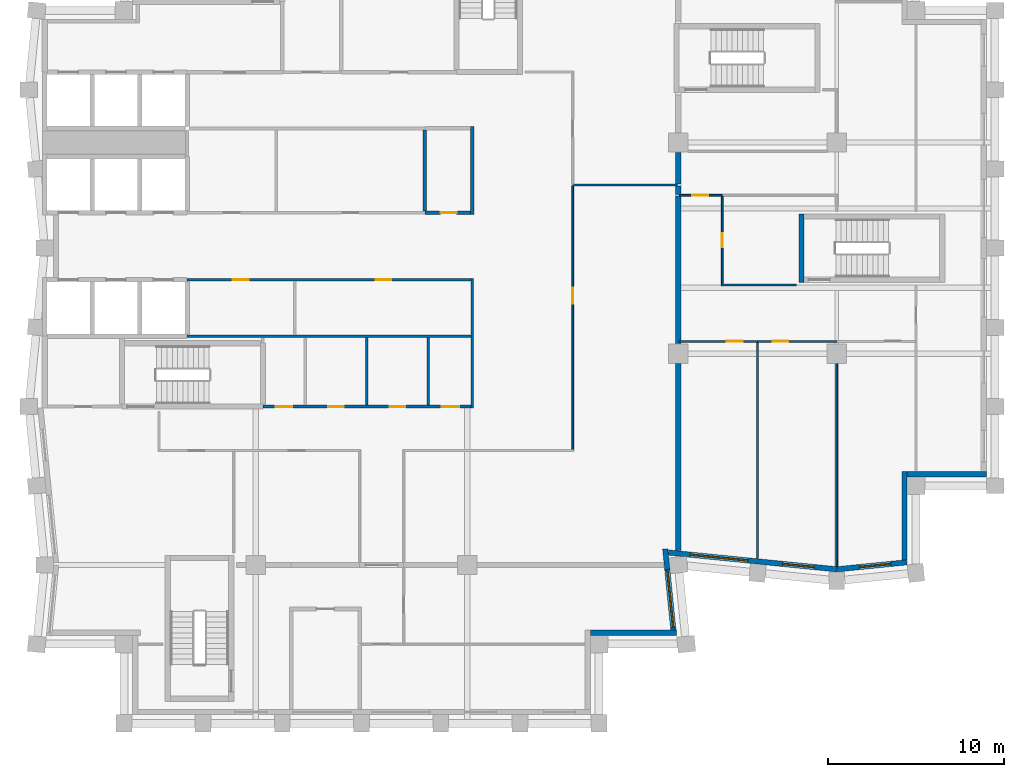
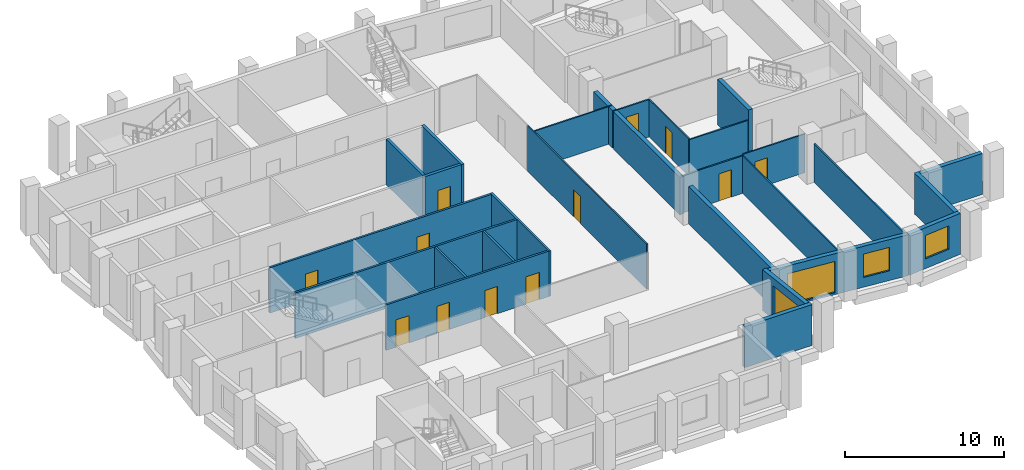
# One storey, part 4 of 8: 29 walls, 12 doors, 4 windows, 16 openings.
"""IFC4 building model written with IfcOpenShell, lengths in metres."""

import ifcopenshell
import ifcopenshell.guid

model = None  # the IFC model being written
_history = None  # IfcOwnerHistory: only IFC2X3 demands one
_inside = {}  # id of a spatial element -> (the spatial element, [elements in it])
_under = {}  # id of a project, library or spatial element -> (it, [spatial elements below it])
_declared = {}  # id of a project -> (the project, [libraries it declares])
_typed = {}  # id of a type object -> (the type object, [elements of that type])
_made_of = {}  # id of a material, layer set ... -> (it, [elements and type objects made of it])


def new_model(schema):
    """Start an empty IFC model of exactly this schema.

    Asked for "IFC4X3", IfcOpenShell would pick the latest addendum, in which some entities
    have other attributes; the version numbers below select the first issue.
    IFC2X3 requires an IfcOwnerHistory on every rooted entity: one is made here for all.
    """
    global model, _history
    if schema == "IFC4X3":
        model = ifcopenshell.file(schema_version=(4, 3, 0, 0))
    else:
        model = ifcopenshell.file(schema=schema)
    _inside.clear()
    _under.clear()
    _declared.clear()
    _typed.clear()
    _made_of.clear()
    _history = None
    if model.schema == "IFC2X3":
        org = make("IfcOrganization", Name="unknown")
        user = make(
            "IfcPersonAndOrganization",
            ThePerson=make("IfcPerson", FamilyName="unknown"),
            TheOrganization=org,
        )
        app = make(
            "IfcApplication",
            ApplicationDeveloper=org,
            Version="unknown",
            ApplicationFullName="unknown",
            ApplicationIdentifier="unknown",
        )
        _history = make(
            "IfcOwnerHistory",
            OwningUser=user,
            OwningApplication=app,
            ChangeAction="ADDED",
            CreationDate=0,
        )
    return model


def make(cls, **values):
    """One entity of the class cls with the attributes given. An attribute that is None is left unset."""
    return model.create_entity(
        cls, **{name: value for name, value in values.items() if value is not None}
    )


def rooted(cls, **values):
    """An entity with a GlobalId (a new one), such as an element, a storey or a relation."""
    return make(cls, GlobalId=ifcopenshell.guid.new(), OwnerHistory=_history, **values)


def si_unit(unit_type, name, prefix=None):
    """IfcSIUnit, for example si_unit("LENGTHUNIT", "METRE", prefix="MILLI")."""
    return make("IfcSIUnit", UnitType=unit_type, Prefix=prefix, Name=name)


def assignment(units):
    """IfcUnitAssignment: the units of a project."""
    return None if units is None else make("IfcUnitAssignment", Units=units)


def point(xyz):
    """IfcCartesianPoint."""
    return None if xyz is None else make("IfcCartesianPoint", Coordinates=xyz)


def direction(xyz):
    """IfcDirection."""
    return None if xyz is None else make("IfcDirection", DirectionRatios=xyz)


def frame(location, z_axis=None, x_axis=None):
    """IfcAxis2Placement3D, a coordinate frame: its origin and axes. An axis left out is left unset."""
    return make(
        "IfcAxis2Placement3D",
        Location=point(location),
        Axis=direction(z_axis),
        RefDirection=direction(x_axis),
    )


def frame_2d(location, x_axis=None):
    """IfcAxis2Placement2D, a coordinate frame in the plane: its origin and x axis."""
    return make(
        "IfcAxis2Placement2D", Location=point(location), RefDirection=direction(x_axis)
    )


def origin():
    """The frame at (0, 0, 0) with its axes left unset."""
    return frame((0.0, 0.0, 0.0))


def place(relative_to, where):
    """IfcLocalPlacement: puts the frame where relative to a parent placement (None: the world)."""
    return make(
        "IfcLocalPlacement", PlacementRelTo=relative_to, RelativePlacement=where
    )


def context(
    kind, dimensions, precision=None, world=None, true_north=None, identifier=None
):
    """IfcGeometricRepresentationContext, for example the 3D "Model" context."""
    return make(
        "IfcGeometricRepresentationContext",
        ContextIdentifier=identifier,
        ContextType=kind,
        CoordinateSpaceDimension=dimensions,
        Precision=precision,
        WorldCoordinateSystem=world,
        TrueNorth=true_north,
    )


def subcontext(parent, identifier, kind, view, scale=None):
    """IfcGeometricRepresentationSubContext, for example "Body" below "Model"."""
    return make(
        "IfcGeometricRepresentationSubContext",
        ContextIdentifier=identifier,
        ContextType=kind,
        ParentContext=parent,
        TargetScale=scale,
        TargetView=view,
    )


def project(units=None, contexts=None):
    """IfcProject with its units and contexts."""
    return rooted(
        "IfcProject",
        Name="project",
        RepresentationContexts=contexts,
        UnitsInContext=assignment(units),
    )


def spatial(cls, under=None, at=None, **own):
    """A site, building, storey or space (cls), placed at a placement, below another one or the project."""
    s = rooted(cls, ObjectPlacement=at, **own)
    if under is not None:
        _under.setdefault(under.id(), (under, []))[1].append(s)
    return s


def profile(cls, at=None, kind="AREA", **sizes):
    """A parametric profile (cls). Its sizes go by their IFC names, for example OverallWidth=200.0."""
    return make(cls, ProfileType=kind, Position=at, **sizes)


def rectangle(**sizes):
    """IfcRectangleProfileDef."""
    return profile("IfcRectangleProfileDef", **sizes)


def extrude(swept, where, along, depth):
    """IfcExtrudedAreaSolid: the profile swept, set in the frame where, extruded along a direction by depth."""
    return make(
        "IfcExtrudedAreaSolid",
        SweptArea=swept,
        Position=where,
        ExtrudedDirection=direction(along),
        Depth=depth,
    )


def shape(context_of_items, identifier, shape_type, items):
    """IfcShapeRepresentation: the items that make up one representation, for example the "Body"."""
    return make(
        "IfcShapeRepresentation",
        ContextOfItems=context_of_items,
        RepresentationIdentifier=identifier,
        RepresentationType=shape_type,
        Items=items,
    )


def material(Name=None, Category=None):
    """IfcMaterial."""
    return make("IfcMaterial", Name=Name, Category=Category)


def layer(
    of_material, thickness, ventilated=None, Name=None, Category=None, Priority=None
):
    """IfcMaterialLayer: one layer of a wall or slab, of a material (None: an air gap)."""
    return make(
        "IfcMaterialLayer",
        Material=of_material,
        LayerThickness=thickness,
        IsVentilated=ventilated,
        Name=Name,
        Category=Category,
        Priority=Priority,
    )


def layer_set(layers, Name=None):
    """IfcMaterialLayerSet."""
    return make("IfcMaterialLayerSet", MaterialLayers=layers, LayerSetName=Name)


def made_of(thing, what):
    """Note that an element or type object is made of a material, layer set ...; save() writes the relation."""
    if what is not None:
        _made_of.setdefault(what.id(), (what, []))[1].append(thing)
    return thing


def type_object(cls, material=None, **own):
    """A type object (cls), such as IfcWallType, which elements share."""
    return made_of(rooted(cls, **own), material)


def element(
    cls,
    number,
    at=None,
    inside=None,
    cuts=None,
    type_object=None,
    material=None,
    context=None,
    identifier="Body",
    shape_type=None,
    held_by="IfcProductDefinitionShape",
    body=None,
    shapes=None,
    **own,
):
    """One element of the class cls, such as IfcWall. Its Tag is "e" and its number.

    at: its placement. inside: the storey or other place that contains it. cuts: it is an
    opening in that element (IfcRelVoidsElement). A single representation is given by context,
    identifier, shape_type and body (its items); several are given by shapes. held_by: the class
    of the entity that holds the representations. save() writes the other relations.
    """
    e = rooted(cls, Tag="e%d" % number, ObjectPlacement=at, **own)
    if body is not None:
        shapes = [shape(context, identifier, shape_type, body)]
    if shapes is not None:
        e.Representation = make(held_by, Representations=shapes)
    if inside is not None:
        _inside.setdefault(inside.id(), (inside, []))[1].append(e)
    if cuts is not None:
        rooted(
            "IfcRelVoidsElement", RelatingBuildingElement=cuts, RelatedOpeningElement=e
        )
    if type_object is not None:
        _typed.setdefault(type_object.id(), (type_object, []))[1].append(e)
    return made_of(e, material)


def fill(opening, filler):
    """IfcRelFillsElement: the door or window that sits in an opening."""
    return rooted(
        "IfcRelFillsElement",
        RelatingOpeningElement=opening,
        RelatedBuildingElement=filler,
    )


def aggregate(whole, parts):
    """IfcRelAggregates: a whole, such as a stair, and the parts it consists of."""
    return rooted("IfcRelAggregates", RelatingObject=whole, RelatedObjects=parts)


def save(model, path):
    """Write the relations noted so far, then the file.

    IfcRelAggregates (storeys below a building ...), IfcRelContainedInSpatialStructure (elements
    in a storey), IfcRelDefinesByType, IfcRelAssociatesMaterial and IfcRelDeclares: one each for
    every whole, place, type object, material and project.
    """
    for whole, parts in _under.values():
        aggregate(whole, parts)
    for where, things in _inside.values():
        rooted(
            "IfcRelContainedInSpatialStructure",
            RelatedElements=things,
            RelatingStructure=where,
        )
    for kind, things in _typed.values():
        rooted("IfcRelDefinesByType", RelatedObjects=things, RelatingType=kind)
    for what, things in _made_of.values():
        rooted("IfcRelAssociatesMaterial", RelatedObjects=things, RelatingMaterial=what)
    for by, libraries in _declared.values():
        rooted("IfcRelDeclares", RelatingContext=by, RelatedDefinitions=libraries)
    model.write(path)


model = new_model("IFC4")

# Units and contexts
model_context = context("Model", 3, precision=1e-05, world=origin(), true_north=direction((0.0, 1.0)))
body_context = subcontext(model_context, "Body", "Model", "MODEL_VIEW")
ifc_project = project(units=[si_unit("LENGTHUNIT", "METRE"), si_unit("AREAUNIT", "SQUARE_METRE"), si_unit("VOLUMEUNIT", "CUBIC_METRE"), si_unit("PLANEANGLEUNIT", "RADIAN"), si_unit("MASSUNIT", "GRAM", prefix="KILO")], contexts=[model_context])

# Site, building, storey
site_placement = place(None, origin())
site = spatial("IfcSite", under=ifc_project, at=site_placement, CompositionType="ELEMENT")
building_placement = place(site_placement, origin())
building = spatial("IfcBuilding", under=site, at=building_placement, Name="Brondeck Convention Tower", CompositionType="ELEMENT")
storey_placement = place(building_placement, frame((0.0, 0.0, 225.39990234375)))
storey = spatial("IfcBuildingStorey", under=building, at=storey_placement, Name="L55", CompositionType="ELEMENT", Elevation=225.39990234375)

# Walls
ifc_material_1 = material(Name="Concrete compartment wall C30/37", Category="concrete")
ifc_layer_1 = layer(ifc_material_1, 0.300048828125)
ifc_layer_set_1 = layer_set([ifc_layer_1], Name="Compartment wall 300")
wall_type_1 = type_object("IfcWallType", Name="Compartment wall 300", PredefinedType="PARTITIONING", material=ifc_layer_set_1)
wall_1_placement = place(storey_placement, frame((36.0, 27.823974609375, 0.0), z_axis=(0.0, 0.0, 1.0), x_axis=(0.0, 1.0, 0.0)))
element("IfcWall", 1, at=wall_1_placement, inside=storey, type_object=wall_type_1, Name="FLR-L55-W021", PredefinedType="PARTITIONING", context=body_context, shape_type="SweptSolid", body=[
    extrude(rectangle(XDim=10.62109375, YDim=0.300048828125, at=frame_2d((5.310546875, 0.0))), origin(), (0.0, 0.0, 1.0), 2.880126953125),
])
wall_2_placement = place(storey_placement, frame((36.0, 39.570068359375, 0.0), z_axis=(0.0, 0.0, 1.0), x_axis=(0.0, 1.0, 0.0)))
element("IfcWall", 2, at=wall_2_placement, inside=storey, type_object=wall_type_1, Name="FLR-L55-W035", PredefinedType="PARTITIONING", context=body_context, shape_type="SweptSolid", body=[
    extrude(rectangle(XDim=8.3798828125, YDim=0.300048828125, at=frame_2d((4.18994140625, 0.0))), origin(), (0.0, 0.0, 1.0), 2.880126953125),
])
wall_3_placement = place(storey_placement, frame((36.0, 48.050048828125, 0.0), z_axis=(0.0, 0.0, 1.0), x_axis=(0.0, 1.0, 0.0)))
element("IfcWall", 3, at=wall_3_placement, inside=storey, type_object=wall_type_1, Name="FLR-L55-W043", PredefinedType="PARTITIONING", context=body_context, shape_type="SweptSolid", body=[
    extrude(rectangle(XDim=0.488037109375, YDim=0.300048828125, at=frame_2d((0.244140625, 0.0))), origin(), (0.0, 0.0, 1.0), 2.880126953125),
])
wall_4_placement = place(storey_placement, frame((36.0, 48.637939453125, 0.0), z_axis=(0.0, 0.0, 1.0), x_axis=(0.0, 1.0, 0.0)))
element("IfcWall", 4, at=wall_4_placement, inside=storey, type_object=wall_type_1, Name="FLR-L55-W046", PredefinedType="PARTITIONING", context=body_context, shape_type="SweptSolid", body=[
    extrude(rectangle(XDim=1.80712890625, YDim=0.300048828125, at=frame_2d((0.903564453125, 0.0))), origin(), (0.0, 0.0, 1.0), 2.880126953125),
])

# Wall, openings, doors
ifc_material_2 = material(Name="Concrete C50/60", Category="concrete")
ifc_layer_2 = layer(ifc_material_2, 0.14990234375)
ifc_layer_set_2 = layer_set([ifc_layer_2], Name="Core beam-seat wall 150 Concrete C50/60")
wall_type_2 = type_object("IfcWallType", Name="Core beam-seat wall 150 Concrete C50/60", PredefinedType="SHEAR", material=ifc_layer_set_2)
wall_5_placement = place(storey_placement, frame((12.39990234375, 36.0, 0.0), z_axis=(0.0, 0.0, 1.0), x_axis=(1.0, 0.0, 0.0)))
wall_5 = element("IfcWall", 5, at=wall_5_placement, inside=storey, type_object=wall_type_2, Name="L55 core wall", PredefinedType="SHEAR", context=body_context, shape_type="SweptSolid", body=[
    extrude(rectangle(XDim=11.8251953125, YDim=0.14990234375, at=frame_2d((5.91259765625, 0.0))), origin(), (0.0, 0.0, 1.0), 3.5),
])
opening_1_placement = place(wall_5_placement, frame((0.72509765625, 0.0, 0.0)))
opening_1 = element("IfcOpeningElement", 6, at=opening_1_placement, cuts=wall_5, Name="Opening C30-03", PredefinedType="OPENING", context=body_context, shape_type="SweptSolid", body=[
    extrude(rectangle(XDim=0.949951171875, YDim=2.10009765625, at=frame_2d((0.47509765625, 1.050048828125))), frame((0.0, 0.0849609375, 0.0), z_axis=(0.0, -1.0, 0.0), x_axis=(1.0, 0.0, 0.0)), (0.0, 0.0, 1.0), 0.169921875),
])
opening_2_placement = place(wall_5_placement, frame((3.699951171875, 0.0, 0.0)))
opening_2 = element("IfcOpeningElement", 7, at=opening_2_placement, cuts=wall_5, Name="Opening C30-04", PredefinedType="OPENING", context=body_context, shape_type="SweptSolid", body=[
    extrude(rectangle(XDim=0.89990234375, YDim=2.10009765625, at=frame_2d((0.449951171875, 1.050048828125))), frame((0.0, 0.0849609375, 0.0), z_axis=(0.0, -1.0, 0.0), x_axis=(1.0, 0.0, 0.0)), (0.0, 0.0, 1.0), 0.169921875),
])
opening_3_placement = place(wall_5_placement, frame((7.199951171875, 0.0, 0.0)))
opening_3 = element("IfcOpeningElement", 8, at=opening_3_placement, cuts=wall_5, Name="Opening C30-05", PredefinedType="OPENING", context=body_context, shape_type="SweptSolid", body=[
    extrude(rectangle(XDim=0.89990234375, YDim=2.10009765625, at=frame_2d((0.449951171875, 1.050048828125))), frame((0.0, 0.0849609375, 0.0), z_axis=(0.0, -1.0, 0.0), x_axis=(1.0, 0.0, 0.0)), (0.0, 0.0, 1.0), 0.169921875),
])
opening_4_placement = place(wall_5_placement, frame((10.14990234375, 0.0, 0.0)))
opening_4 = element("IfcOpeningElement", 9, at=opening_4_placement, cuts=wall_5, Name="Opening C30-06", PredefinedType="OPENING", context=body_context, shape_type="SweptSolid", body=[
    extrude(rectangle(XDim=1.0, YDim=2.10009765625, at=frame_2d((0.5, 1.050048828125))), frame((0.0, 0.0849609375, 0.0), z_axis=(0.0, -1.0, 0.0), x_axis=(1.0, 0.0, 0.0)), (0.0, 0.0, 1.0), 0.169921875),
])
ifc_material_3 = material(Name="Steel fire door", Category="steel")
door_type_1 = type_object("IfcDoorType", Name="Room door 1000x2100 EI 60", OperationType="NOTDEFINED", PredefinedType="DOOR", material=ifc_material_3)
door_1_placement = place(opening_4_placement, origin())
door_1 = element("IfcDoor", 10, at=door_1_placement, inside=storey, type_object=door_type_1, Name="L55 Room door FR-4", OperationType="SINGLE_SWING_LEFT", OverallHeight=2.10009765625, OverallWidth=1.0, PredefinedType="DOOR", context=body_context, shape_type="SweptSolid", body=[
    extrude(rectangle(XDim=1.0, YDim=2.10009765625, at=frame_2d((0.5, 1.050048828125))), frame((0.0, 0.02490234375, 0.0), z_axis=(0.0, -1.0, 0.0), x_axis=(1.0, 0.0, 0.0)), (0.0, 0.0, 1.0), 0.050048828125),
])
fill(opening_4, door_1)
door_type_2 = type_object("IfcDoorType", Name="Room door 900x2100 EI 60", OperationType="NOTDEFINED", PredefinedType="DOOR", material=ifc_material_3)
door_2_placement = place(opening_2_placement, origin())
door_2 = element("IfcDoor", 11, at=door_2_placement, inside=storey, type_object=door_type_2, Name="L55 Room door FR-2", OperationType="SINGLE_SWING_LEFT", OverallHeight=2.10009765625, OverallWidth=0.89990234375, PredefinedType="DOOR", context=body_context, shape_type="SweptSolid", body=[
    extrude(rectangle(XDim=0.89990234375, YDim=2.10009765625, at=frame_2d((0.449951171875, 1.050048828125))), frame((0.0, 0.02490234375, 0.0), z_axis=(0.0, -1.0, 0.0), x_axis=(1.0, 0.0, 0.0)), (0.0, 0.0, 1.0), 0.050048828125),
])
fill(opening_2, door_2)
door_3_placement = place(opening_3_placement, origin())
door_3 = element("IfcDoor", 12, at=door_3_placement, inside=storey, type_object=door_type_2, Name="L55 Room door FR-3", OperationType="SINGLE_SWING_RIGHT", OverallHeight=2.10009765625, OverallWidth=0.89990234375, PredefinedType="DOOR", context=body_context, shape_type="SweptSolid", body=[
    extrude(rectangle(XDim=0.89990234375, YDim=2.10009765625, at=frame_2d((0.449951171875, 1.050048828125))), frame((0.0, 0.02490234375, 0.0), z_axis=(0.0, -1.0, 0.0), x_axis=(1.0, 0.0, 0.0)), (0.0, 0.0, 1.0), 0.050048828125),
])
fill(opening_3, door_3)
door_type_3 = type_object("IfcDoorType", Name="Room door 950x2100 EI 60", OperationType="NOTDEFINED", PredefinedType="DOOR", material=ifc_material_3)
door_4_placement = place(opening_1_placement, origin())
door_4 = element("IfcDoor", 13, at=door_4_placement, inside=storey, type_object=door_type_3, Name="L55 Room door FR-1", OperationType="SINGLE_SWING_RIGHT", OverallHeight=2.10009765625, OverallWidth=0.949951171875, PredefinedType="DOOR", context=body_context, shape_type="SweptSolid", body=[
    extrude(rectangle(XDim=0.949951171875, YDim=2.10009765625, at=frame_2d((0.47509765625, 1.050048828125))), frame((0.0, 0.02490234375, 0.0), z_axis=(0.0, -1.0, 0.0), x_axis=(1.0, 0.0, 0.0)), (0.0, 0.0, 1.0), 0.050048828125),
])
fill(opening_1, door_4)

# Walls
ifc_layer_3 = layer(ifc_material_2, 0.199951171875)
ifc_layer_set_3 = layer_set([ifc_layer_3], Name="Core beam-seat wall 200 Concrete C50/60")
wall_type_3 = type_object("IfcWallType", Name="Core beam-seat wall 200 Concrete C50/60", PredefinedType="SHEAR", material=ifc_layer_set_3)
wall_6_placement = place(storey_placement, frame((24.300048828125, 46.89990234375, 0.0), z_axis=(0.0, 0.0, 1.0), x_axis=(0.0, 1.0, 0.0)))
element("IfcWall", 14, at=wall_6_placement, inside=storey, type_object=wall_type_3, Name="L55 core wall", PredefinedType="SHEAR", context=body_context, shape_type="SweptSolid", body=[
    extrude(rectangle(XDim=5.0, YDim=0.199951171875, at=frame_2d((2.5, 0.0))), origin(), (0.0, 0.0, 1.0), 3.5),
])
ifc_material_4 = material(Name="Fire-rated gypsum board partition")
ifc_layer_4 = layer(ifc_material_4, 0.14990234375)
ifc_layer_set_4 = layer_set([ifc_layer_4], Name="Core partition 150 EI 60")
wall_type_4 = type_object("IfcWallType", Name="Core partition 150 EI 60", PredefinedType="PARTITIONING", material=ifc_layer_set_4)
wall_7_placement = place(storey_placement, frame((8.10009765625, 40.0, 0.0), z_axis=(0.0, 0.0, 1.0), x_axis=(1.0, 0.0, 0.0)))
element("IfcWall", 15, at=wall_7_placement, inside=storey, type_object=wall_type_4, Name="L55 core wall", PredefinedType="PARTITIONING", context=body_context, shape_type="SweptSolid", body=[
    extrude(rectangle(XDim=16.125, YDim=0.14990234375, at=frame_2d((8.0625, 0.0))), origin(), (0.0, 0.0, 1.0), 3.5),
])

# Wall, openings, doors
wall_8_placement = place(storey_placement, frame((8.10009765625, 43.199951171875, 0.0), z_axis=(0.0, 0.0, 1.0), x_axis=(1.0, 0.0, 0.0)))
wall_8 = element("IfcWall", 16, at=wall_8_placement, inside=storey, type_object=wall_type_4, Name="L55 core wall", PredefinedType="PARTITIONING", context=body_context, shape_type="SweptSolid", body=[
    extrude(rectangle(XDim=16.125, YDim=0.14990234375, at=frame_2d((8.0625, 0.0))), origin(), (0.0, 0.0, 1.0), 3.5),
])
opening_5_placement = place(wall_8_placement, frame((2.60009765625, 0.0, 0.0)))
opening_5 = element("IfcOpeningElement", 17, at=opening_5_placement, cuts=wall_8, Name="Opening C30-10", PredefinedType="OPENING", context=body_context, shape_type="SweptSolid", body=[
    extrude(rectangle(XDim=0.89990234375, YDim=2.10009765625, at=frame_2d((0.449951171875, 1.050048828125))), frame((0.0, 0.0849609375, 0.0), z_axis=(0.0, -1.0, 0.0), x_axis=(1.0, 0.0, 0.0)), (0.0, 0.0, 1.0), 0.169921875),
])
opening_6_placement = place(wall_8_placement, frame((10.699951171875, 0.0, 0.0)))
opening_6 = element("IfcOpeningElement", 18, at=opening_6_placement, cuts=wall_8, Name="Opening C30-11", PredefinedType="OPENING", context=body_context, shape_type="SweptSolid", body=[
    extrude(rectangle(XDim=0.89990234375, YDim=2.10009765625, at=frame_2d((0.449951171875, 1.050048828125))), frame((0.0, 0.0849609375, 0.0), z_axis=(0.0, -1.0, 0.0), x_axis=(1.0, 0.0, 0.0)), (0.0, 0.0, 1.0), 0.169921875),
])
door_5_placement = place(opening_5_placement, origin())
door_5 = element("IfcDoor", 19, at=door_5_placement, inside=storey, type_object=door_type_2, Name="L55 Room door FZ-S-8.1-1", OperationType="SINGLE_SWING_RIGHT", OverallHeight=2.10009765625, OverallWidth=0.89990234375, PredefinedType="DOOR", context=body_context, shape_type="SweptSolid", body=[
    extrude(rectangle(XDim=0.89990234375, YDim=2.10009765625, at=frame_2d((0.449951171875, 1.050048828125))), frame((0.0, 0.02490234375, 0.0), z_axis=(0.0, -1.0, 0.0), x_axis=(1.0, 0.0, 0.0)), (0.0, 0.0, 1.0), 0.050048828125),
])
fill(opening_5, door_5)
door_6_placement = place(opening_6_placement, origin())
door_6 = element("IfcDoor", 20, at=door_6_placement, inside=storey, type_object=door_type_2, Name="L55 Room door FZ-S-8.1-2", OperationType="SINGLE_SWING_LEFT", OverallHeight=2.10009765625, OverallWidth=0.89990234375, PredefinedType="DOOR", context=body_context, shape_type="SweptSolid", body=[
    extrude(rectangle(XDim=0.89990234375, YDim=2.10009765625, at=frame_2d((0.449951171875, 1.050048828125))), frame((0.0, 0.02490234375, 0.0), z_axis=(0.0, -1.0, 0.0), x_axis=(1.0, 0.0, 0.0)), (0.0, 0.0, 1.0), 0.050048828125),
])
fill(opening_6, door_6)

# Walls
for number, where, z_axis, x_axis, name in (
    (21, (18.300048828125, 36.074951171875, 0.0), (0.0, 0.0, 1.0), (0.0, 1.0, 0.0), "L55 core wall"),
    (22, (21.800048828125, 36.074951171875, 0.0), (0.0, 0.0, 1.0), (0.0, 1.0, 0.0), "L55 core wall"),
):
    element("IfcWall", number, at=place(storey_placement, frame(where, z_axis=z_axis, x_axis=x_axis)), inside=storey, type_object=wall_type_4, Name=name, PredefinedType="PARTITIONING", context=body_context, shape_type="SweptSolid", body=[
        extrude(rectangle(XDim=3.85009765625, YDim=0.14990234375, at=frame_2d((1.925048828125, 0.0))), origin(), (0.0, 0.0, 1.0), 3.5),
    ])
wall_9_placement = place(storey_placement, frame((24.300048828125, 35.925048828125, 0.0), z_axis=(0.0, 0.0, 1.0), x_axis=(0.0, 1.0, 0.0)))
element("IfcWall", 23, at=wall_9_placement, inside=storey, type_object=wall_type_4, Name="L55 core wall", PredefinedType="PARTITIONING", context=body_context, shape_type="SweptSolid", body=[
    extrude(rectangle(XDim=7.349853515625, YDim=0.14990234375, at=frame_2d((3.6748046875, 0.0))), origin(), (0.0, 0.0, 1.0), 3.5),
])
ifc_material_5 = material(Name="Precast concrete C50/60 bronze finish", Category="concrete")
ifc_layer_5 = layer(ifc_material_5, 0.070068359375, Name="Bronze precast facing")
ifc_material_6 = material(Name="Mineral wool")
ifc_layer_6 = layer(ifc_material_6, 0.159912109375, Name="Insulation")
ifc_material_7 = material(Name="Concrete C35/45", Category="concrete")
ifc_layer_7 = layer(ifc_material_7, 0.070068359375, Name="Backing")
ifc_layer_set_5 = layer_set([ifc_layer_5, ifc_layer_6, ifc_layer_7], Name="External infill wall, precast concrete C50/60 bronze facing")
wall_type_5 = type_object("IfcWallType", Name="External infill wall, precast concrete C50/60 bronze facing", PredefinedType="SOLIDWALL", material=ifc_layer_set_5)
wall_10_placement = place(storey_placement, frame((35.8974609375, 23.14990234375, 0.0), z_axis=(0.0, 0.0, 1.0), x_axis=(-1.0, 0.0, 0.0)))
element("IfcWall", 24, at=wall_10_placement, inside=storey, type_object=wall_type_5, Name="ENV-EW-L55-P2-NC-SEB18-02", PredefinedType="SOLIDWALL", context=body_context, shape_type="SweptSolid", body=[
    extrude(rectangle(XDim=4.8974609375, YDim=0.300048828125, at=frame_2d((2.44873046875, 0.0))), origin(), (0.0, 0.0, 1.0), 3.150146484375),
])

# Wall, opening, window
wall_11_placement = place(storey_placement, frame((35.255859375, 27.908203125, 0.0), z_axis=(0.0, 0.0, 1.0), x_axis=(0.099535070904, -0.995034054523, 0.0)))
wall_11 = element("IfcWall", 25, at=wall_11_placement, inside=storey, type_object=wall_type_5, Name="ENV-EW-L55-P2-B-E-00", PredefinedType="SOLIDWALL", context=body_context, shape_type="SweptSolid", body=[
    extrude(rectangle(XDim=4.6259765625, YDim=0.300048828125, at=frame_2d((2.31298828125, 0.0))), origin(), (0.0, 0.0, 1.0), 3.150146484375),
])
opening_7_placement = place(wall_11_placement, frame((1.176025390625, 0.0, 0.14990234375)))
opening_7 = element("IfcOpeningElement", 26, at=opening_7_placement, cuts=wall_11, Name="Opening W9", PredefinedType="OPENING", context=body_context, shape_type="SweptSolid", body=[
    extrude(rectangle(XDim=3.300048828125, YDim=2.39990234375, at=frame_2d((1.64990234375, 1.199951171875))), frame((0.0, 0.159912109375, 0.0), z_axis=(0.0, -1.0, 0.0), x_axis=(1.0, 0.0, 0.0)), (0.0, 0.0, 1.0), 0.320068359375),
])
ifc_material_8 = material(Name="Bronze tinted double glazing", Category="glass")
window_type_1 = type_object("IfcWindowType", Name="Glazed flute window, bronze tinted", PartitioningType="SINGLE_PANEL", PredefinedType="WINDOW", material=ifc_material_8)
window_1_placement = place(opening_7_placement, origin())
window_1 = element("IfcWindow", 27, at=window_1_placement, inside=storey, type_object=window_type_1, Name="ENV-WN-L55-P2-B-E-00", OverallHeight=2.39990234375, OverallWidth=3.300048828125, PartitioningType="SINGLE_PANEL", PredefinedType="WINDOW", context=body_context, shape_type="SweptSolid", body=[
    extrude(rectangle(XDim=3.300048828125, YDim=2.39990234375, at=frame_2d((1.64990234375, 1.199951171875))), frame((0.0, 0.030029296875, 0.0), z_axis=(0.0, -1.0, 0.0), x_axis=(1.0, 0.0, 0.0)), (0.0, 0.0, 1.0), 0.06005859375),
])
fill(opening_7, window_1)

# Wall, openings, windows
wall_12_placement = place(storey_placement, frame((45.014892578125, 26.751708984375, 0.0), z_axis=(0.0, 0.0, 1.0), x_axis=(-0.9950379439, 0.099496181828, 0.0)))
wall_12 = element("IfcWall", 28, at=wall_12_placement, inside=storey, type_object=wall_type_5, Name="ENV-EW-L55-P2-A-S-00", PredefinedType="SOLIDWALL", context=body_context, shape_type="SweptSolid", body=[
    extrude(rectangle(XDim=9.621337890625, YDim=0.300048828125, at=frame_2d((4.810546875, 0.0))), origin(), (0.0, 0.0, 1.0), 3.150146484375),
])
opening_8_placement = place(wall_12_placement, frame((1.311279296875, 0.0, 0.75)))
opening_8 = element("IfcOpeningElement", 29, at=opening_8_placement, cuts=wall_12, Name="Opening W10", PredefinedType="OPENING", context=body_context, shape_type="SweptSolid", body=[
    extrude(rectangle(XDim=1.800048828125, YDim=1.800048828125, at=frame_2d((0.89990234375, 0.89990234375))), frame((0.0, 0.159912109375, 0.0), z_axis=(0.0, -1.0, 0.0), x_axis=(1.0, 0.0, 0.0)), (0.0, 0.0, 1.0), 0.320068359375),
])
opening_9_placement = place(wall_12_placement, frame((5.08349609375, 0.0, 0.14990234375)))
opening_9 = element("IfcOpeningElement", 30, at=opening_9_placement, cuts=wall_12, Name="Opening W9", PredefinedType="OPENING", context=body_context, shape_type="SweptSolid", body=[
    extrude(rectangle(XDim=3.300048828125, YDim=2.39990234375, at=frame_2d((1.64990234375, 1.199951171875))), frame((0.0, 0.159912109375, 0.0), z_axis=(0.0, -1.0, 0.0), x_axis=(1.0, 0.0, 0.0)), (0.0, 0.0, 1.0), 0.320068359375),
])
window_2_placement = place(opening_9_placement, origin())
window_2 = element("IfcWindow", 31, at=window_2_placement, inside=storey, type_object=window_type_1, Name="ENV-WN-L55-P2-A-S-00", OverallHeight=2.39990234375, OverallWidth=3.300048828125, PartitioningType="SINGLE_PANEL", PredefinedType="WINDOW", context=body_context, shape_type="SweptSolid", body=[
    extrude(rectangle(XDim=3.300048828125, YDim=2.39990234375, at=frame_2d((1.64990234375, 1.199951171875))), frame((0.0, 0.030029296875, 0.0), z_axis=(0.0, -1.0, 0.0), x_axis=(1.0, 0.0, 0.0)), (0.0, 0.0, 1.0), 0.06005859375),
])
fill(opening_9, window_2)
window_type_2 = type_object("IfcWindowType", Name="Punched window, bronze tinted", PartitioningType="SINGLE_PANEL", PredefinedType="WINDOW", material=ifc_material_8)
window_3_placement = place(opening_8_placement, origin())
window_3 = element("IfcWindow", 32, at=window_3_placement, inside=storey, type_object=window_type_2, Name="ENV-WN-L55-P2-A-S-01", OverallHeight=1.800048828125, OverallWidth=1.800048828125, PartitioningType="SINGLE_PANEL", PredefinedType="WINDOW", context=body_context, shape_type="SweptSolid", body=[
    extrude(rectangle(XDim=1.800048828125, YDim=1.800048828125, at=frame_2d((0.89990234375, 0.89990234375))), frame((0.0, 0.030029296875, 0.0), z_axis=(0.0, -1.0, 0.0), x_axis=(1.0, 0.0, 0.0)), (0.0, 0.0, 1.0), 0.06005859375),
])
fill(opening_8, window_3)

# Wall, opening, window
wall_13_placement = place(storey_placement, frame((48.985107421875, 27.151611328125, 0.0), z_axis=(0.0, 0.0, 1.0), x_axis=(-0.995037798293, -0.099497638, 0.0)))
wall_13 = element("IfcWall", 33, at=wall_13_placement, inside=storey, type_object=wall_type_5, Name="ENV-EW-L55-P2-A-S-02", PredefinedType="SOLIDWALL", context=body_context, shape_type="SweptSolid", body=[
    extrude(rectangle(XDim=3.97509765625, YDim=0.300048828125, at=frame_2d((1.987548828125, 0.0))), origin(), (0.0, 0.0, 1.0), 3.150146484375),
])
opening_10_placement = place(wall_13_placement, frame((0.90869140625, 0.0, 0.75)))
opening_10 = element("IfcOpeningElement", 34, at=opening_10_placement, cuts=wall_13, Name="Opening W10", PredefinedType="OPENING", context=body_context, shape_type="SweptSolid", body=[
    extrude(rectangle(XDim=1.800048828125, YDim=1.800048828125, at=frame_2d((0.89990234375, 0.89990234375))), frame((0.0, 0.159912109375, 0.0), z_axis=(0.0, -1.0, 0.0), x_axis=(1.0, 0.0, 0.0)), (0.0, 0.0, 1.0), 0.320068359375),
])
window_4_placement = place(opening_10_placement, origin())
window_4 = element("IfcWindow", 35, at=window_4_placement, inside=storey, type_object=window_type_2, Name="ENV-WN-L55-P2-A-S-02", OverallHeight=1.800048828125, OverallWidth=1.800048828125, PartitioningType="SINGLE_PANEL", PredefinedType="WINDOW", context=body_context, shape_type="SweptSolid", body=[
    extrude(rectangle(XDim=1.800048828125, YDim=1.800048828125, at=frame_2d((0.89990234375, 0.89990234375))), frame((0.0, 0.030029296875, 0.0), z_axis=(0.0, -1.0, 0.0), x_axis=(1.0, 0.0, 0.0)), (0.0, 0.0, 1.0), 0.06005859375),
])
fill(opening_10, window_4)

# Walls
wall_14_placement = place(storey_placement, frame((48.85009765625, 32.300048828125, 0.0), z_axis=(0.0, 0.0, 1.0), x_axis=(0.0, -1.0, 0.0)))
element("IfcWall", 36, at=wall_14_placement, inside=storey, type_object=wall_type_5, Name="ENV-EW-L55-P2-NC-SEA54-01", PredefinedType="SOLIDWALL", context=body_context, shape_type="SweptSolid", body=[
    extrude(rectangle(XDim=5.009765625, YDim=0.300048828125, at=frame_2d((2.5048828125, 0.0))), origin(), (0.0, 0.0, 1.0), 3.150146484375),
])
wall_15_placement = place(storey_placement, frame((53.5, 32.14990234375, 0.0), z_axis=(0.0, 0.0, 1.0), x_axis=(-1.0, 0.0, 0.0)))
element("IfcWall", 37, at=wall_15_placement, inside=storey, type_object=wall_type_5, Name="ENV-EW-L55-P2-NC-SEA54-02", PredefinedType="SOLIDWALL", context=body_context, shape_type="SweptSolid", body=[
    extrude(rectangle(XDim=4.501953125, YDim=0.300048828125, at=frame_2d((2.2509765625, 0.0))), origin(), (0.0, 0.0, 1.0), 3.150146484375),
])

# Wall, opening, door
ifc_layer_8 = layer(ifc_material_4, 0.199951171875)
ifc_layer_set_6 = layer_set([ifc_layer_8], Name="Riser wall 200 EI 120")
wall_type_6 = type_object("IfcWallType", Name="Riser wall 200 EI 120", PredefinedType="PARTITIONING", material=ifc_layer_set_6)
wall_16_placement = place(storey_placement, frame((21.60009765625, 47.0, 0.0), z_axis=(0.0, 0.0, 1.0), x_axis=(1.0, 0.0, 0.0)))
wall_16 = element("IfcWall", 38, at=wall_16_placement, inside=storey, type_object=wall_type_6, Name="L55 core wall", PredefinedType="PARTITIONING", context=body_context, shape_type="SweptSolid", body=[
    extrude(rectangle(XDim=2.599853515625, YDim=0.199951171875, at=frame_2d((1.2998046875, 0.0))), origin(), (0.0, 0.0, 1.0), 3.5),
])
opening_11_placement = place(wall_16_placement, frame((0.89990234375, 0.0, 0.0)))
opening_11 = element("IfcOpeningElement", 39, at=opening_11_placement, cuts=wall_16, Name="Opening C30-02", PredefinedType="OPENING", context=body_context, shape_type="SweptSolid", body=[
    extrude(rectangle(XDim=0.89990234375, YDim=2.10009765625, at=frame_2d((0.449951171875, 1.050048828125))), frame((0.0, 0.10986328125, 0.0), z_axis=(0.0, -1.0, 0.0), x_axis=(1.0, 0.0, 0.0)), (0.0, 0.0, 1.0), 0.219970703125),
])
door_type_4 = type_object("IfcDoorType", Name="Riser door 900x2100 EI 120", OperationType="NOTDEFINED", PredefinedType="DOOR", material=ifc_material_3)
door_7_placement = place(opening_11_placement, origin())
door_7 = element("IfcDoor", 40, at=door_7_placement, inside=storey, type_object=door_type_4, Name="L55 Riser door EN-1", OperationType="SINGLE_SWING_LEFT", OverallHeight=2.10009765625, OverallWidth=0.89990234375, PredefinedType="DOOR", context=body_context, shape_type="SweptSolid", body=[
    extrude(rectangle(XDim=0.89990234375, YDim=2.10009765625, at=frame_2d((0.449951171875, 1.050048828125))), frame((0.0, 0.02490234375, 0.0), z_axis=(0.0, -1.0, 0.0), x_axis=(1.0, 0.0, 0.0)), (0.0, 0.0, 1.0), 0.050048828125),
])
fill(opening_11, door_7)

# Walls
wall_17_placement = place(storey_placement, frame((21.60009765625, 47.10009765625, 0.0), z_axis=(0.0, 0.0, 1.0), x_axis=(0.0, 1.0, 0.0)))
element("IfcWall", 41, at=wall_17_placement, inside=storey, type_object=wall_type_6, Name="L55 core wall", PredefinedType="PARTITIONING", context=body_context, shape_type="SweptSolid", body=[
    extrude(rectangle(XDim=4.599853515625, YDim=0.199951171875, at=frame_2d((2.2998046875, 0.0))), origin(), (0.0, 0.0, 1.0), 3.5),
])
ifc_material_9 = material(Name="Gypsum board partition on steel studs", Category="steel")
ifc_layer_9 = layer(ifc_material_9, 0.10009765625)
ifc_layer_set_7 = layer_set([ifc_layer_9], Name="Room partition 100")
wall_type_7 = type_object("IfcWallType", Name="Room partition 100", PredefinedType="PARTITIONING", material=ifc_layer_set_7)
wall_18_placement = place(storey_placement, frame((45.0, 38.445068359375, 0.0), z_axis=(0.0, 0.0, 1.0), x_axis=(0.0, -1.0, 0.0)))
element("IfcWall", 42, at=wall_18_placement, inside=storey, type_object=wall_type_7, Name="FLR-L55-W030", PredefinedType="PARTITIONING", context=body_context, shape_type="SweptSolid", body=[
    extrude(rectangle(XDim=11.52099609375, YDim=0.10009765625, at=frame_2d((5.760498046875, 0.0))), origin(), (0.0, 0.0, 1.0), 2.97998046875),
])
wall_19_placement = place(storey_placement, frame((40.5, 39.64990234375, 0.0), z_axis=(0.0, 0.0, 1.0), x_axis=(0.0, -1.0, 0.0)))
element("IfcWall", 43, at=wall_19_placement, inside=storey, type_object=wall_type_7, Name="FLR-L55-W031", PredefinedType="PARTITIONING", context=body_context, shape_type="SweptSolid", body=[
    extrude(rectangle(XDim=12.27587890625, YDim=0.10009765625, at=frame_2d((6.137939453125, 0.0))), origin(), (0.0, 0.0, 1.0), 2.880126953125),
])

# Wall, opening, door
wall_20_placement = place(storey_placement, frame((40.5, 39.699951171875, 0.0), z_axis=(0.0, 0.0, 1.0), x_axis=(-1.0, 0.0, 0.0)))
wall_20 = element("IfcWall", 44, at=wall_20_placement, inside=storey, type_object=wall_type_7, Name="FLR-L55-W032", PredefinedType="PARTITIONING", context=body_context, shape_type="SweptSolid", body=[
    extrude(rectangle(XDim=4.449951171875, YDim=0.10009765625, at=frame_2d((2.22509765625, 0.0))), origin(), (0.0, 0.0, 1.0), 2.880126953125),
])
opening_12_placement = place(wall_20_placement, frame((0.8544921875, 0.0, 0.0)))
opening_12 = element("IfcOpeningElement", 45, at=opening_12_placement, cuts=wall_20, Name="Opening OF-M-004", PredefinedType="OPENING", context=body_context, shape_type="SweptSolid", body=[
    extrude(rectangle(XDim=0.89990234375, YDim=2.10009765625, at=frame_2d((0.449951171875, 1.050048828125))), frame((0.0, 0.06005859375, 0.0), z_axis=(0.0, -1.0, 0.0), x_axis=(1.0, 0.0, 0.0)), (0.0, 0.0, 1.0), 0.1201171875),
])
ifc_material_10 = material(Name="Solid timber door leaf", Category="wood")
door_type_5 = type_object("IfcDoorType", Name="Single door 900", OperationType="NOTDEFINED", PredefinedType="DOOR", material=ifc_material_10)
door_8_placement = place(opening_12_placement, origin())
door_8 = element("IfcDoor", 46, at=door_8_placement, inside=storey, type_object=door_type_5, Name="Door OF-M-004", OperationType="SINGLE_SWING_LEFT", OverallHeight=2.10009765625, OverallWidth=0.89990234375, PredefinedType="DOOR", context=body_context, shape_type="SweptSolid", body=[
    extrude(rectangle(XDim=0.89990234375, YDim=2.10009765625, at=frame_2d((0.449951171875, 1.050048828125))), frame((0.0, 0.02490234375, 0.0), z_axis=(0.0, -1.0, 0.0), x_axis=(1.0, 0.0, 0.0)), (0.0, 0.0, 1.0), 0.050048828125),
])
fill(opening_12, door_8)

wall_21_placement = place(storey_placement, frame((45.0, 39.699951171875, 0.0), z_axis=(0.0, 0.0, 1.0), x_axis=(-1.0, 0.0, 0.0)))
wall_21 = element("IfcWall", 47, at=wall_21_placement, inside=storey, type_object=wall_type_7, Name="FLR-L55-W033", PredefinedType="PARTITIONING", context=body_context, shape_type="SweptSolid", body=[
    extrude(rectangle(XDim=4.5, YDim=0.10009765625, at=frame_2d((2.25, 0.0))), origin(), (0.0, 0.0, 1.0), 2.97998046875),
])
opening_13_placement = place(wall_21_placement, frame((2.74560546875, 0.0, 0.0)))
opening_13 = element("IfcOpeningElement", 48, at=opening_13_placement, cuts=wall_21, Name="Opening OF-M-005", PredefinedType="OPENING", context=body_context, shape_type="SweptSolid", body=[
    extrude(rectangle(XDim=0.89990234375, YDim=2.10009765625, at=frame_2d((0.449951171875, 1.050048828125))), frame((0.0, 0.06005859375, 0.0), z_axis=(0.0, -1.0, 0.0), x_axis=(1.0, 0.0, 0.0)), (0.0, 0.0, 1.0), 0.1201171875),
])
door_9_placement = place(opening_13_placement, origin())
door_9 = element("IfcDoor", 49, at=door_9_placement, inside=storey, type_object=door_type_5, Name="Door OF-M-005", OperationType="SINGLE_SWING_LEFT", OverallHeight=2.10009765625, OverallWidth=0.89990234375, PredefinedType="DOOR", context=body_context, shape_type="SweptSolid", body=[
    extrude(rectangle(XDim=0.89990234375, YDim=2.10009765625, at=frame_2d((0.449951171875, 1.050048828125))), frame((0.0, 0.02490234375, 0.0), z_axis=(0.0, -1.0, 0.0), x_axis=(1.0, 0.0, 0.0)), (0.0, 0.0, 1.0), 0.050048828125),
])
fill(opening_13, door_9)

# Wall
wall_22_placement = place(storey_placement, frame((38.449951171875, 42.89990234375, 0.0), z_axis=(0.0, 0.0, 1.0), x_axis=(1.0, 0.0, 0.0)))
element("IfcWall", 50, at=wall_22_placement, inside=storey, type_object=wall_type_7, Name="FLR-L55-W036", PredefinedType="PARTITIONING", context=body_context, shape_type="SweptSolid", body=[
    extrude(rectangle(XDim=4.25, YDim=0.10009765625, at=frame_2d((2.125, 0.0))), origin(), (0.0, 0.0, 1.0), 2.880126953125),
])

# Wall, opening, door
wall_23_placement = place(storey_placement, frame((38.5, 47.949951171875, 0.0), z_axis=(0.0, 0.0, 1.0), x_axis=(0.0, -1.0, 0.0)))
wall_23 = element("IfcWall", 51, at=wall_23_placement, inside=storey, type_object=wall_type_7, Name="FLR-L55-W039", PredefinedType="PARTITIONING", context=body_context, shape_type="SweptSolid", body=[
    extrude(rectangle(XDim=5.0, YDim=0.10009765625, at=frame_2d((2.5, 0.0))), origin(), (0.0, 0.0, 1.0), 2.880126953125),
])
opening_14_placement = place(wall_23_placement, frame((2.10009765625, 0.0, 0.0)))
opening_14 = element("IfcOpeningElement", 52, at=opening_14_placement, cuts=wall_23, Name="Opening OF-M-001", PredefinedType="OPENING", context=body_context, shape_type="SweptSolid", body=[
    extrude(rectangle(XDim=0.800048828125, YDim=2.10009765625, at=frame_2d((0.39990234375, 1.050048828125))), frame((0.0, 0.06005859375, 0.0), z_axis=(0.0, -1.0, 0.0), x_axis=(1.0, 0.0, 0.0)), (0.0, 0.0, 1.0), 0.1201171875),
])
ifc_material_11 = material(Name="Steel service door leaf", Category="steel")
door_type_6 = type_object("IfcDoorType", Name="Service door 800", OperationType="NOTDEFINED", PredefinedType="DOOR", material=ifc_material_11)
door_10_placement = place(opening_14_placement, origin())
door_10 = element("IfcDoor", 53, at=door_10_placement, inside=storey, type_object=door_type_6, Name="Door OF-M-001", OperationType="SINGLE_SWING_RIGHT", OverallHeight=2.10009765625, OverallWidth=0.800048828125, PredefinedType="DOOR", context=body_context, shape_type="SweptSolid", body=[
    extrude(rectangle(XDim=0.800048828125, YDim=2.10009765625, at=frame_2d((0.39990234375, 1.050048828125))), frame((0.0, 0.02490234375, 0.0), z_axis=(0.0, -1.0, 0.0), x_axis=(1.0, 0.0, 0.0)), (0.0, 0.0, 1.0), 0.050048828125),
])
fill(opening_14, door_10)

wall_24_placement = place(storey_placement, frame((36.050048828125, 48.0, 0.0), z_axis=(0.0, 0.0, 1.0), x_axis=(1.0, 0.0, 0.0)))
wall_24 = element("IfcWall", 54, at=wall_24_placement, inside=storey, type_object=wall_type_7, Name="FLR-L55-W041", PredefinedType="PARTITIONING", context=body_context, shape_type="SweptSolid", body=[
    extrude(rectangle(XDim=2.449951171875, YDim=0.10009765625, at=frame_2d((1.22509765625, 0.0))), origin(), (0.0, 0.0, 1.0), 2.880126953125),
])
opening_15_placement = place(wall_24_placement, frame((0.75, 0.0, 0.0)))
opening_15 = element("IfcOpeningElement", 55, at=opening_15_placement, cuts=wall_24, Name="Opening OF-M-007", PredefinedType="OPENING", context=body_context, shape_type="SweptSolid", body=[
    extrude(rectangle(XDim=0.89990234375, YDim=2.10009765625, at=frame_2d((0.449951171875, 1.050048828125))), frame((0.0, 0.06005859375, 0.0), z_axis=(0.0, -1.0, 0.0), x_axis=(1.0, 0.0, 0.0)), (0.0, 0.0, 1.0), 0.1201171875),
])
door_11_placement = place(opening_15_placement, origin())
door_11 = element("IfcDoor", 56, at=door_11_placement, inside=storey, type_object=door_type_5, Name="Door OF-M-007", OperationType="SINGLE_SWING_LEFT", OverallHeight=2.10009765625, OverallWidth=0.89990234375, PredefinedType="DOOR", context=body_context, shape_type="SweptSolid", body=[
    extrude(rectangle(XDim=0.89990234375, YDim=2.10009765625, at=frame_2d((0.449951171875, 1.050048828125))), frame((0.0, 0.02490234375, 0.0), z_axis=(0.0, -1.0, 0.0), x_axis=(1.0, 0.0, 0.0)), (0.0, 0.0, 1.0), 0.050048828125),
])
fill(opening_15, door_11)

wall_25_placement = place(storey_placement, frame((30.0, 48.5380859375, 0.0), z_axis=(0.0, 0.0, 1.0), x_axis=(0.0, -1.0, 0.0)))
wall_25 = element("IfcWall", 57, at=wall_25_placement, inside=storey, type_object=wall_type_7, Name="FLR-L55-W044", PredefinedType="PARTITIONING", context=body_context, shape_type="SweptSolid", body=[
    extrude(rectangle(XDim=14.988037109375, YDim=0.10009765625, at=frame_2d((7.494140625, 0.0))), origin(), (0.0, 0.0, 1.0), 3.47998046875),
])
opening_16_placement = place(wall_25_placement, frame((5.7939453125, 0.0, 0.0)))
opening_16 = element("IfcOpeningElement", 58, at=opening_16_placement, cuts=wall_25, Name="Opening OF-M-013", PredefinedType="OPENING", context=body_context, shape_type="SweptSolid", body=[
    extrude(rectangle(XDim=0.89990234375, YDim=2.10009765625, at=frame_2d((0.449951171875, 1.050048828125))), frame((0.0, 0.06005859375, 0.0), z_axis=(0.0, -1.0, 0.0), x_axis=(1.0, 0.0, 0.0)), (0.0, 0.0, 1.0), 0.1201171875),
])
door_12_placement = place(opening_16_placement, origin())
door_12 = element("IfcDoor", 59, at=door_12_placement, inside=storey, type_object=door_type_5, Name="Door OF-M-013", OperationType="SINGLE_SWING_LEFT", OverallHeight=2.10009765625, OverallWidth=0.89990234375, PredefinedType="DOOR", context=body_context, shape_type="SweptSolid", body=[
    extrude(rectangle(XDim=0.89990234375, YDim=2.10009765625, at=frame_2d((0.449951171875, 1.050048828125))), frame((0.0, 0.02490234375, 0.0), z_axis=(0.0, -1.0, 0.0), x_axis=(1.0, 0.0, 0.0)), (0.0, 0.0, 1.0), 0.050048828125),
])
fill(opening_16, door_12)

# Walls
wall_26_placement = place(storey_placement, frame((30.050048828125, 48.587890625, 0.0), z_axis=(0.0, 0.0, 1.0), x_axis=(1.0, 0.0, 0.0)))
element("IfcWall", 60, at=wall_26_placement, inside=storey, type_object=wall_type_7, Name="FLR-L55-W045", PredefinedType="PARTITIONING", context=body_context, shape_type="SweptSolid", body=[
    extrude(rectangle(XDim=5.89990234375, YDim=0.10009765625, at=frame_2d((2.949951171875, 0.0))), origin(), (0.0, 0.0, 1.0), 2.880126953125),
])
ifc_layer_10 = layer(ifc_material_2, 0.300048828125)
ifc_layer_set_8 = layer_set([ifc_layer_10], Name="Stair enclosure wall 300 Concrete C50/60")
wall_type_8 = type_object("IfcWallType", Name="Stair enclosure wall 300 Concrete C50/60", PredefinedType="SHEAR", material=ifc_layer_set_8)
wall_27_placement = place(storey_placement, frame((43.0, 43.050048828125, 0.0), z_axis=(0.0, 0.0, 1.0), x_axis=(0.0, 1.0, 0.0)))
element("IfcWall", 61, at=wall_27_placement, inside=storey, type_object=wall_type_8, Name="L55 core wall", PredefinedType="SHEAR", context=body_context, shape_type="SweptSolid", body=[
    extrude(rectangle(XDim=3.89990234375, YDim=0.300048828125, at=frame_2d((1.949951171875, 0.0))), origin(), (0.0, 0.0, 1.0), 3.5),
])

save(model, "model.ifc")
